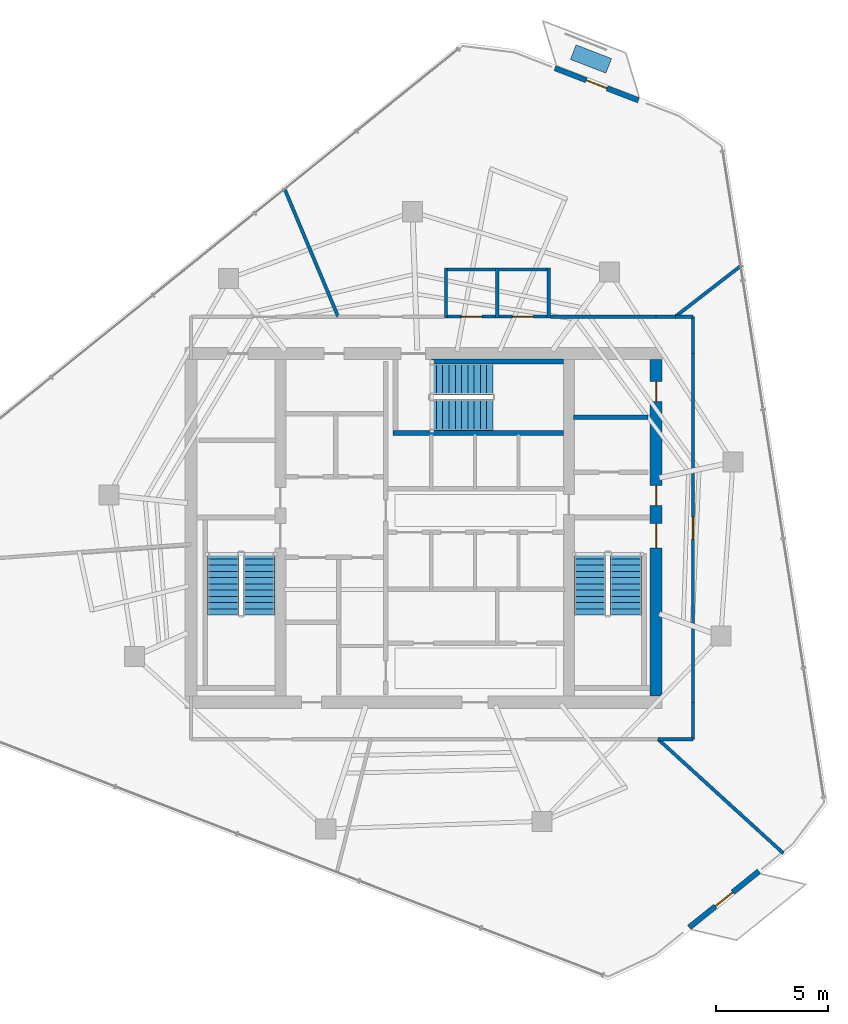
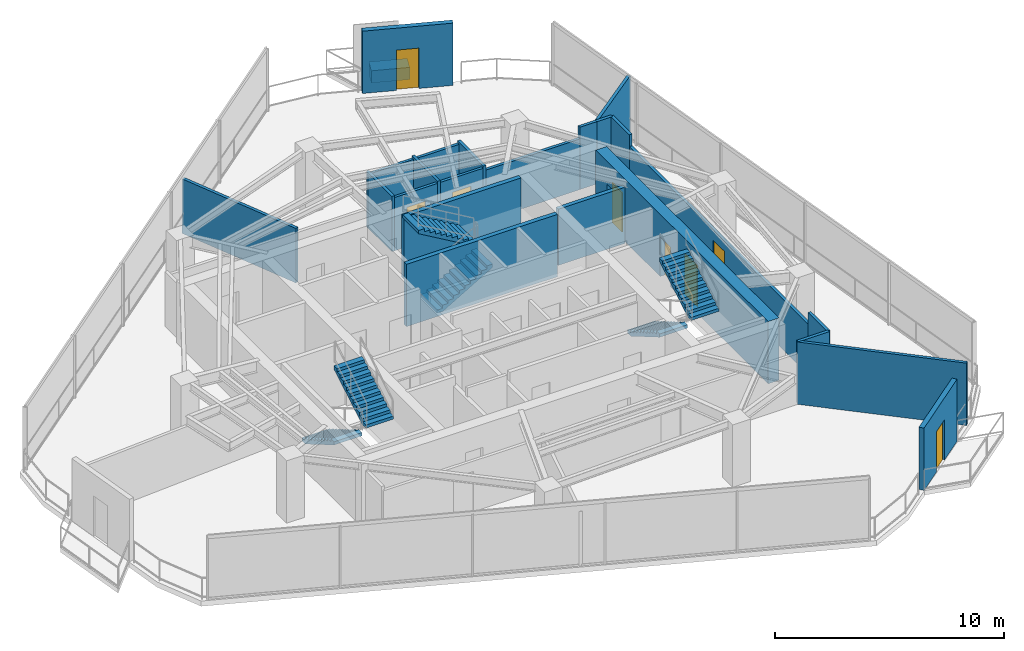
# One storey, part 17 of 19: 23 walls, 8 doors, 6 stair flights, 1 discrete accessory, 8 openings, 3 elements without a shape of their own.
"""IFC4 building model written with IfcOpenShell, lengths in metres."""

from ifc_helpers import new_model, si_unit, direction, frame, frame_2d, origin, origin_2d, place, context, subcontext, project, spatial, polyline, rectangle, outline, extrude, material, layer, layer_set, type_object, element, fill, aggregate, save


model = new_model("IFC4")

# Units and contexts
model_context = context("Model", 3, precision=1e-05, world=origin(), true_north=direction((0.0, 1.0)))
body_context = subcontext(model_context, "Body", "Model", "MODEL_VIEW")
ifc_project = project(units=[si_unit("LENGTHUNIT", "METRE"), si_unit("AREAUNIT", "SQUARE_METRE"), si_unit("VOLUMEUNIT", "CUBIC_METRE"), si_unit("PLANEANGLEUNIT", "RADIAN"), si_unit("MASSUNIT", "GRAM", prefix="KILO")], contexts=[model_context])

# Site, building, storey
site_placement = place(None, origin())
site = spatial("IfcSite", under=ifc_project, at=site_placement, CompositionType="ELEMENT")
building_placement = place(site_placement, origin())
building = spatial("IfcBuilding", under=site, at=building_placement, Name="Qarnah Convention Tower", CompositionType="ELEMENT")
storey_placement = place(building_placement, frame((0.0, 0.0, 213.0)))
storey = spatial("IfcBuildingStorey", under=building, at=storey_placement, Name="L57", CompositionType="ELEMENT", Elevation=213.0)

# Wall, openings, doors
ifc_material_1 = material(Name="Concrete C60/75", Category="concrete")
ifc_layer_1 = layer(ifc_material_1, 0.550048828125)
ifc_layer_set_1 = layer_set([ifc_layer_1], Name="Concrete C60/75")
wall_type_1 = type_object("IfcWallType", Name="WL-CORE-550", PredefinedType="SHEAR", material=ifc_layer_set_1)
wall_1_placement = place(storey_placement, frame((47.60009765625, 18.875, 0.0), z_axis=(0.0, 0.0, 1.0), x_axis=(0.0, 1.0, 0.0)))
wall_1 = element("IfcWall", 1, at=wall_1_placement, inside=storey, type_object=wall_type_1, Name="L57 core east shear wall", PredefinedType="SHEAR", context=body_context, shape_type="SweptSolid", body=[
    extrude(rectangle(XDim=15.050048828125, YDim=0.550048828125, at=frame_2d((7.52490234375, 0.0))), origin(), (0.0, 0.0, 1.0), 3.320068359375),
])
opening_1_placement = place(wall_1_placement, frame((6.625, 0.0, 0.0)))
opening_1 = element("IfcOpeningElement", 2, at=opening_1_placement, cuts=wall_1, Name="Opening D-5702", PredefinedType="OPENING", context=body_context, shape_type="SweptSolid", body=[
    extrude(rectangle(XDim=1.10009765625, YDim=2.14990234375, at=frame_2d((0.550048828125, 1.074951171875))), frame((0.0, 0.284912109375, 0.0), z_axis=(0.0, -1.0, 0.0), x_axis=(1.0, 0.0, 0.0)), (0.0, 0.0, 1.0), 0.570068359375),
])
opening_2_placement = place(wall_1_placement, frame((8.52490234375, 0.0, 0.0)))
opening_2 = element("IfcOpeningElement", 3, at=opening_2_placement, cuts=wall_1, Name="Opening D-5706", PredefinedType="OPENING", context=body_context, shape_type="SweptSolid", body=[
    extrude(rectangle(XDim=0.89990234375, YDim=2.10009765625, at=frame_2d((0.449951171875, 1.050048828125))), frame((0.0, 0.284912109375, 0.0), z_axis=(0.0, -1.0, 0.0), x_axis=(1.0, 0.0, 0.0)), (0.0, 0.0, 1.0), 0.570068359375),
])
opening_3_placement = place(wall_1_placement, frame((13.175048828125, 0.0, 0.0)))
opening_3 = element("IfcOpeningElement", 4, at=opening_3_placement, cuts=wall_1, Name="Opening D-5712", PredefinedType="OPENING", context=body_context, shape_type="SweptSolid", body=[
    extrude(rectangle(XDim=0.89990234375, YDim=2.10009765625, at=frame_2d((0.449951171875, 1.050048828125))), frame((0.0, 0.284912109375, 0.0), z_axis=(0.0, -1.0, 0.0), x_axis=(1.0, 0.0, 0.0)), (0.0, 0.0, 1.0), 0.570068359375),
])
ifc_material_2 = material(Name="Structural steel S355JR", Category="steel")
door_type_1 = type_object("IfcDoorType", Name="DT-RISER-900", OperationType="NOTDEFINED", PredefinedType="DOOR", material=ifc_material_2)
door_1_placement = place(opening_2_placement, origin())
door_1 = element("IfcDoor", 5, at=door_1_placement, inside=storey, type_object=door_type_1, Name="Door D-5706", OperationType="SINGLE_SWING_RIGHT", OverallHeight=2.10009765625, OverallWidth=0.89990234375, PredefinedType="DOOR", context=body_context, shape_type="SweptSolid", body=[
    extrude(rectangle(XDim=0.89990234375, YDim=2.10009765625, at=frame_2d((0.449951171875, 1.050048828125))), frame((0.0, 0.02490234375, 0.0), z_axis=(0.0, -1.0, 0.0), x_axis=(1.0, 0.0, 0.0)), (0.0, 0.0, 1.0), 0.050048828125),
])
fill(opening_2, door_1)
door_2_placement = place(opening_3_placement, origin())
door_2 = element("IfcDoor", 6, at=door_2_placement, inside=storey, type_object=door_type_1, Name="Door D-5712", OperationType="SINGLE_SWING_RIGHT", OverallHeight=2.10009765625, OverallWidth=0.89990234375, PredefinedType="DOOR", context=body_context, shape_type="SweptSolid", body=[
    extrude(rectangle(XDim=0.89990234375, YDim=2.10009765625, at=frame_2d((0.449951171875, 1.050048828125))), frame((0.0, 0.02490234375, 0.0), z_axis=(0.0, -1.0, 0.0), x_axis=(1.0, 0.0, 0.0)), (0.0, 0.0, 1.0), 0.050048828125),
])
fill(opening_3, door_2)
door_type_2 = type_object("IfcDoorType", Name="DT-STAIR-1100", OperationType="NOTDEFINED", PredefinedType="DOOR", material=ifc_material_2)
door_3_placement = place(opening_1_placement, origin())
door_3 = element("IfcDoor", 7, at=door_3_placement, inside=storey, type_object=door_type_2, Name="Door D-5702", OperationType="SINGLE_SWING_RIGHT", OverallHeight=2.14990234375, OverallWidth=1.10009765625, PredefinedType="DOOR", context=body_context, shape_type="SweptSolid", body=[
    extrude(rectangle(XDim=1.10009765625, YDim=2.14990234375, at=frame_2d((0.550048828125, 1.074951171875))), frame((0.0, 0.02490234375, 0.0), z_axis=(0.0, -1.0, 0.0), x_axis=(1.0, 0.0, 0.0)), (0.0, 0.0, 1.0), 0.050048828125),
])
fill(opening_1, door_3)

# Walls
ifc_material_3 = material(Name="Concrete C45/55", Category="concrete")
ifc_layer_2 = layer(ifc_material_3, 0.199951171875)
ifc_layer_set_2 = layer_set([ifc_layer_2], Name="Concrete C45/55")
wall_type_2 = type_object("IfcWallType", Name="WL-CORE-PART-200", PredefinedType="SOLIDWALL", material=ifc_layer_set_2)
wall_2_placement = place(storey_placement, frame((43.89990234375, 31.35009765625, 0.0), z_axis=(0.0, 0.0, 1.0), x_axis=(1.0, 0.0, 0.0)))
element("IfcWall", 8, at=wall_2_placement, inside=storey, type_object=wall_type_2, Name="L57 interior wall IW-L57-WTRN", PredefinedType="SOLIDWALL", context=body_context, shape_type="SweptSolid", body=[
    extrude(rectangle(XDim=3.35009765625, YDim=0.199951171875, at=frame_2d((1.675048828125, 0.0))), origin(), (0.0, 0.0, 1.0), 2.992919921875),
])
ifc_layer_3 = layer(ifc_material_1, 0.219970703125)
ifc_layer_set_3 = layer_set([ifc_layer_3], Name="Concrete C60/75")
wall_type_3 = type_object("IfcWallType", Name="WL-CORE-STAIR-220", PredefinedType="SHEAR", material=ifc_layer_set_3)
wall_3_placement = place(storey_placement, frame((35.840087890625, 30.639892578125, 0.0), z_axis=(0.0, 0.0, 1.0), x_axis=(1.0, 0.0, 0.0)))
element("IfcWall", 9, at=wall_3_placement, inside=storey, type_object=wall_type_3, Name="L57 stair shaft shear wall SW-L57-ST3S", PredefinedType="SHEAR", context=body_context, shape_type="SweptSolid", body=[
    extrude(rectangle(XDim=7.60986328125, YDim=0.219970703125, at=frame_2d((3.804931640625, 0.0))), origin(), (0.0, 0.0, 1.0), 3.320068359375),
])
wall_4_placement = place(storey_placement, frame((37.550048828125, 33.840087890625, 0.0), z_axis=(0.0, 0.0, 1.0), x_axis=(1.0, 0.0, 0.0)))
element("IfcWall", 10, at=wall_4_placement, inside=storey, type_object=wall_type_3, Name="L57 stair shaft shear wall SW-L57-ST3N", PredefinedType="SHEAR", context=body_context, shape_type="SweptSolid", body=[
    extrude(rectangle(XDim=5.89990234375, YDim=0.219970703125, at=frame_2d((2.949951171875, 0.0))), origin(), (0.0, 0.0, 1.0), 3.320068359375),
])

# Wall, opening, door
ifc_material_4 = material(Name="Precast concrete C45/55", Category="concrete")
ifc_layer_4 = layer(ifc_material_4, 0.239990234375)
ifc_layer_set_4 = layer_set([ifc_layer_4], Name="Precast concrete C45/55")
wall_type_4 = type_object("IfcWallType", Name="WL-EXT-BAL-240", PredefinedType="SOLIDWALL", material=ifc_layer_set_4)
wall_5_placement = place(storey_placement, frame((43.080078125, 46.9619140625, 0.0), z_axis=(0.0, 0.0, 1.0), x_axis=(0.932847562988, -0.360271320295, 0.0)))
wall_5 = element("IfcWall", 11, at=wall_5_placement, inside=storey, type_object=wall_type_4, Name="L57 loggia threshold wall BAL-L57-C1", PredefinedType="SOLIDWALL", context=body_context, shape_type="SweptSolid", body=[
    extrude(rectangle(XDim=3.99951171875, YDim=0.239990234375, at=frame_2d((1.999755859375, 0.0))), origin(), (0.0, 0.0, 1.0), 3.320068359375),
])
opening_4_placement = place(wall_5_placement, frame((1.5, 0.0, 0.0)))
opening_4 = element("IfcOpeningElement", 12, at=opening_4_placement, cuts=wall_5, Name="Opening BD-5701", PredefinedType="OPENING", context=body_context, shape_type="SweptSolid", body=[
    extrude(rectangle(XDim=1.0, YDim=2.14990234375, at=frame_2d((0.5, 1.074951171875))), frame((0.0, 0.1298828125, 0.0), z_axis=(0.0, -1.0, 0.0), x_axis=(1.0, 0.0, 0.0)), (0.0, 0.0, 1.0), 0.260009765625),
])
ifc_material_5 = material(Name="Black anodised aluminium", Category="aluminium")
door_type_3 = type_object("IfcDoorType", Name="DT-BAL-1000", OperationType="NOTDEFINED", PredefinedType="DOOR", material=ifc_material_5)
door_4_placement = place(opening_4_placement, origin())
door_4 = element("IfcDoor", 13, at=door_4_placement, inside=storey, type_object=door_type_3, Name="L57 balcony terrace door BAL-L57-C1", OperationType="SINGLE_SWING_RIGHT", OverallHeight=2.14990234375, OverallWidth=1.0, PredefinedType="DOOR", context=body_context, shape_type="SweptSolid", body=[
    extrude(rectangle(XDim=1.0, YDim=2.14990234375, at=frame_2d((0.5, 1.074951171875))), frame((0.0, 0.02490234375, 0.0), z_axis=(0.0, -1.0, 0.0), x_axis=(1.0, 0.0, 0.0)), (0.0, 0.0, 1.0), 0.050048828125),
])
fill(opening_4, door_4)

wall_6_placement = place(storey_placement, frame((52.197021484375, 11.048095703125, 0.0), z_axis=(0.0, 0.0, 1.0), x_axis=(-0.778355303503, -0.627824037058, 0.0)))
wall_6 = element("IfcWall", 14, at=wall_6_placement, inside=storey, type_object=wall_type_4, Name="L57 loggia threshold wall BAL-L57-C3", PredefinedType="SOLIDWALL", context=body_context, shape_type="SweptSolid", body=[
    extrude(rectangle(XDim=3.99951171875, YDim=0.239990234375, at=frame_2d((1.999755859375, 0.0))), origin(), (0.0, 0.0, 1.0), 3.320068359375),
])
opening_5_placement = place(wall_6_placement, frame((1.5, 0.0, 0.0)))
opening_5 = element("IfcOpeningElement", 15, at=opening_5_placement, cuts=wall_6, Name="Opening BD-5703", PredefinedType="OPENING", context=body_context, shape_type="SweptSolid", body=[
    extrude(rectangle(XDim=1.0, YDim=2.14990234375, at=frame_2d((0.5, 1.074951171875))), frame((0.0, 0.1298828125, 0.0), z_axis=(0.0, -1.0, 0.0), x_axis=(1.0, 0.0, 0.0)), (0.0, 0.0, 1.0), 0.260009765625),
])
door_5_placement = place(opening_5_placement, origin())
door_5 = element("IfcDoor", 16, at=door_5_placement, inside=storey, type_object=door_type_3, Name="L57 balcony terrace door BAL-L57-C3", OperationType="SINGLE_SWING_RIGHT", OverallHeight=2.14990234375, OverallWidth=1.0, PredefinedType="DOOR", context=body_context, shape_type="SweptSolid", body=[
    extrude(rectangle(XDim=1.0, YDim=2.14990234375, at=frame_2d((0.5, 1.074951171875))), frame((0.0, 0.02490234375, 0.0), z_axis=(0.0, -1.0, 0.0), x_axis=(1.0, 0.0, 0.0)), (0.0, 0.0, 1.0), 0.050048828125),
])
fill(opening_5, door_5)

# Walls
ifc_material_6 = material(Name="Gypsum partition board")
ifc_layer_5 = layer(ifc_material_6, 0.14990234375)
ifc_layer_set_5 = layer_set([ifc_layer_5], Name="Gypsum partition board")
wall_type_5 = type_object("IfcWallType", Name="WL-SUITE-150", PredefinedType="PARTITIONING", material=ifc_layer_set_5)
wall_7_placement = place(storey_placement, frame((30.972900390625, 41.596923828125, 0.0), z_axis=(0.0, 0.0, 1.0), x_axis=(0.386620265765, -0.922238998362, 0.0)))
element("IfcWall", 17, at=wall_7_placement, inside=storey, type_object=wall_type_5, Name="L57 interior wall IW-L57-R-08", PredefinedType="PARTITIONING", context=body_context, shape_type="SweptSolid", body=[
    extrude(rectangle(XDim=6.2314453125, YDim=0.14990234375, at=frame_2d((3.11572265625, 0.0))), origin(), (0.0, 0.0, 1.0), 2.905029296875),
])
wall_8_placement = place(storey_placement, frame((42.8701171875, 35.85009765625, 0.0), z_axis=(0.0, 0.0, 1.0), x_axis=(1.0, 0.0, 0.0)))
element("IfcWall", 18, at=wall_8_placement, inside=storey, type_object=wall_type_5, Name="L57 interior wall IW-L57-R-10", PredefinedType="PARTITIONING", context=body_context, shape_type="SweptSolid", body=[
    extrude(rectangle(XDim=4.72998046875, YDim=0.14990234375, at=frame_2d((2.364990234375, 0.0))), origin(), (0.0, 0.0, 1.0), 2.697021484375),
])
wall_9_placement = place(storey_placement, frame((47.60009765625, 35.85009765625, 0.0), z_axis=(0.0, 0.0, 1.0), x_axis=(1.0, 0.0, 0.0)))
element("IfcWall", 19, at=wall_9_placement, inside=storey, type_object=wall_type_5, Name="L57 interior wall IW-L57-R-11", PredefinedType="PARTITIONING", context=body_context, shape_type="SweptSolid", body=[
    extrude(rectangle(XDim=0.86181640625, YDim=0.14990234375, at=frame_2d((0.430908203125, 0.0))), origin(), (0.0, 0.0, 1.0), 3.320068359375),
])
wall_10_placement = place(storey_placement, frame((48.4619140625, 35.85009765625, 0.0), z_axis=(0.0, 0.0, 1.0), x_axis=(0.790221725719, 0.612821037663, 0.0)))
element("IfcWall", 20, at=wall_10_placement, inside=storey, type_object=wall_type_5, Name="L57 interior wall IW-L57-R-12", PredefinedType="PARTITIONING", context=body_context, shape_type="SweptSolid", body=[
    extrude(rectangle(XDim=3.76123046875, YDim=0.14990234375, at=frame_2d((1.880615234375, 0.0))), origin(), (0.0, 0.0, 1.0), 3.320068359375),
])
wall_11_placement = place(storey_placement, frame((53.291015625, 11.85205078125, 0.0), z_axis=(0.0, 0.0, 1.0), x_axis=(-0.739237725075, 0.673444567745, 0.0)))
element("IfcWall", 21, at=wall_11_placement, inside=storey, type_object=wall_type_5, Name="L57 interior wall IW-L57-R-19", PredefinedType="PARTITIONING", context=body_context, shape_type="SweptSolid", body=[
    extrude(rectangle(XDim=7.56982421875, YDim=0.14990234375, at=frame_2d((3.784912109375, 0.0))), origin(), (0.0, 0.0, 1.0), 3.320068359375),
])
wall_12_placement = place(storey_placement, frame((48.4619140625, 35.85009765625, 0.0), z_axis=(0.0, 0.0, 1.0), x_axis=(1.0, 0.0, 0.0)))
element("IfcWall", 22, at=wall_12_placement, inside=storey, type_object=wall_type_5, Name="L57 interior wall IW-L57-R-21", PredefinedType="PARTITIONING", context=body_context, shape_type="SweptSolid", body=[
    extrude(rectangle(XDim=0.7880859375, YDim=0.14990234375, at=frame_2d((0.39404296875, 0.0))), origin(), (0.0, 0.0, 1.0), 3.320068359375),
])
wall_13_placement = place(storey_placement, frame((49.25, 35.85009765625, 0.0), z_axis=(0.0, 0.0, 1.0), x_axis=(0.0, -1.0, 0.0)))
element("IfcWall", 23, at=wall_13_placement, inside=storey, type_object=wall_type_5, Name="L57 interior wall IW-L57-R-22", PredefinedType="PARTITIONING", context=body_context, shape_type="SweptSolid", body=[
    extrude(rectangle(XDim=1.650146484375, YDim=0.14990234375, at=frame_2d((0.8251953125, 0.0))), origin(), (0.0, 0.0, 1.0), 3.320068359375),
])

# Wall, opening, door
wall_14_placement = place(storey_placement, frame((49.25, 34.199951171875, 0.0), z_axis=(0.0, 0.0, 1.0), x_axis=(0.0, -1.0, 0.0)))
wall_14 = element("IfcWall", 24, at=wall_14_placement, inside=storey, type_object=wall_type_5, Name="L57 interior wall IW-L57-R-23", PredefinedType="PARTITIONING", context=body_context, shape_type="SweptSolid", body=[
    extrude(rectangle(XDim=15.599853515625, YDim=0.14990234375, at=frame_2d((7.7998046875, 0.0))), origin(), (0.0, 0.0, 1.0), 2.697021484375),
])
opening_6_placement = place(wall_14_placement, frame((7.300048828125, 0.0, 0.0)))
opening_6 = element("IfcOpeningElement", 25, at=opening_6_placement, cuts=wall_14, Name="Opening D-5724", PredefinedType="OPENING", context=body_context, shape_type="SweptSolid", body=[
    extrude(rectangle(XDim=1.0, YDim=2.14990234375, at=frame_2d((0.5, 1.074951171875))), frame((0.0, 0.0849609375, 0.0), z_axis=(0.0, -1.0, 0.0), x_axis=(1.0, 0.0, 0.0)), (0.0, 0.0, 1.0), 0.169921875),
])
ifc_material_7 = material(Name="Oak timber veneer", Category="wood")
door_type_4 = type_object("IfcDoorType", Name="DT-OFFICE-1000", OperationType="NOTDEFINED", PredefinedType="DOOR", material=ifc_material_7)
door_6_placement = place(opening_6_placement, origin())
door_6 = element("IfcDoor", 26, at=door_6_placement, inside=storey, type_object=door_type_4, Name="Door D-5724", OperationType="SINGLE_SWING_RIGHT", OverallHeight=2.14990234375, OverallWidth=1.0, PredefinedType="DOOR", context=body_context, shape_type="SweptSolid", body=[
    extrude(rectangle(XDim=1.0, YDim=2.14990234375, at=frame_2d((0.5, 1.074951171875))), frame((0.0, 0.02490234375, 0.0), z_axis=(0.0, -1.0, 0.0), x_axis=(1.0, 0.0, 0.0)), (0.0, 0.0, 1.0), 0.050048828125),
])
fill(opening_6, door_6)

# Walls
wall_15_placement = place(storey_placement, frame((49.25, 18.60009765625, 0.0), z_axis=(0.0, 0.0, 1.0), x_axis=(0.0, -1.0, 0.0)))
element("IfcWall", 27, at=wall_15_placement, inside=storey, type_object=wall_type_5, Name="L57 interior wall IW-L57-R-24", PredefinedType="PARTITIONING", context=body_context, shape_type="SweptSolid", body=[
    extrude(rectangle(XDim=1.650146484375, YDim=0.14990234375, at=frame_2d((0.8251953125, 0.0))), origin(), (0.0, 0.0, 1.0), 3.320068359375),
])
wall_16_placement = place(storey_placement, frame((49.25, 16.949951171875, 0.0), z_axis=(0.0, 0.0, 1.0), x_axis=(-1.0, 0.0, 0.0)))
element("IfcWall", 28, at=wall_16_placement, inside=storey, type_object=wall_type_5, Name="L57 interior wall IW-L57-R-25", PredefinedType="PARTITIONING", context=body_context, shape_type="SweptSolid", body=[
    extrude(rectangle(XDim=1.554931640625, YDim=0.14990234375, at=frame_2d((0.77734375, 0.0))), origin(), (0.0, 0.0, 1.0), 3.320068359375),
])

# Wall, opening, door
ifc_layer_6 = layer(ifc_material_6, 0.139892578125)
ifc_layer_set_6 = layer_set([ifc_layer_6], Name="Gypsum partition board")
wall_type_6 = type_object("IfcWallType", Name="WL-WET-140", PredefinedType="PARTITIONING", material=ifc_layer_set_6)
wall_17_placement = place(storey_placement, frame((38.1298828125, 35.85009765625, 0.0), z_axis=(0.0, 0.0, 1.0), x_axis=(1.0, 0.0, 0.0)))
wall_17 = element("IfcWall", 29, at=wall_17_placement, inside=storey, type_object=wall_type_6, Name="L57 interior wall IW-L57-WCM-1", PredefinedType="PARTITIONING", context=body_context, shape_type="SweptSolid", body=[
    extrude(rectangle(XDim=2.440185546875, YDim=0.139892578125, at=frame_2d((1.22021484375, 0.0))), origin(), (0.0, 0.0, 1.0), 2.841064453125),
])
opening_7_placement = place(wall_17_placement, frame((0.760009765625, 0.0, 0.0)))
opening_7 = element("IfcOpeningElement", 30, at=opening_7_placement, cuts=wall_17, Name="Opening D-5718", PredefinedType="OPENING", context=body_context, shape_type="SweptSolid", body=[
    extrude(rectangle(XDim=0.919921875, YDim=2.10009765625, at=frame_2d((0.4599609375, 1.050048828125))), frame((0.0, 0.079833984375, 0.0), z_axis=(0.0, -1.0, 0.0), x_axis=(1.0, 0.0, 0.0)), (0.0, 0.0, 1.0), 0.159912109375),
])
door_type_5 = type_object("IfcDoorType", Name="DT-WC-920", OperationType="NOTDEFINED", PredefinedType="DOOR", material=ifc_material_7)
door_7_placement = place(opening_7_placement, origin())
door_7 = element("IfcDoor", 31, at=door_7_placement, inside=storey, type_object=door_type_5, Name="Door D-5718", OperationType="SINGLE_SWING_RIGHT", OverallHeight=2.10009765625, OverallWidth=0.919921875, PredefinedType="DOOR", context=body_context, shape_type="SweptSolid", body=[
    extrude(rectangle(XDim=0.919921875, YDim=2.10009765625, at=frame_2d((0.4599609375, 1.050048828125))), frame((0.0, 0.02490234375, 0.0), z_axis=(0.0, -1.0, 0.0), x_axis=(1.0, 0.0, 0.0)), (0.0, 0.0, 1.0), 0.050048828125),
])
fill(opening_7, door_7)

# Walls
wall_18_placement = place(storey_placement, frame((40.5, 35.780029296875, 0.0), z_axis=(0.0, 0.0, 1.0), x_axis=(0.0, 1.0, 0.0)))
element("IfcWall", 32, at=wall_18_placement, inside=storey, type_object=wall_type_6, Name="L57 interior wall IW-L57-WCM-2", PredefinedType="PARTITIONING", context=body_context, shape_type="SweptSolid", body=[
    extrude(rectangle(XDim=2.239990234375, YDim=0.139892578125, at=frame_2d((1.1201171875, 0.0))), origin(), (0.0, 0.0, 1.0), 2.948974609375),
])
wall_19_placement = place(storey_placement, frame((40.570068359375, 37.949951171875, 0.0), z_axis=(0.0, 0.0, 1.0), x_axis=(-1.0, 0.0, 0.0)))
element("IfcWall", 33, at=wall_19_placement, inside=storey, type_object=wall_type_6, Name="L57 interior wall IW-L57-WCM-3", PredefinedType="PARTITIONING", context=body_context, shape_type="SweptSolid", body=[
    extrude(rectangle(XDim=2.440185546875, YDim=0.139892578125, at=frame_2d((1.22021484375, 0.0))), origin(), (0.0, 0.0, 1.0), 2.841064453125),
])
wall_20_placement = place(storey_placement, frame((38.199951171875, 38.02001953125, 0.0), z_axis=(0.0, 0.0, 1.0), x_axis=(0.0, -1.0, 0.0)))
element("IfcWall", 34, at=wall_20_placement, inside=storey, type_object=wall_type_6, Name="L57 interior wall IW-L57-WCM-4", PredefinedType="PARTITIONING", context=body_context, shape_type="SweptSolid", body=[
    extrude(rectangle(XDim=2.239990234375, YDim=0.139892578125, at=frame_2d((1.1201171875, 0.0))), origin(), (0.0, 0.0, 1.0), 2.948974609375),
])

# Wall, opening, door
wall_21_placement = place(storey_placement, frame((40.429931640625, 35.85009765625, 0.0), z_axis=(0.0, 0.0, 1.0), x_axis=(1.0, 0.0, 0.0)))
wall_21 = element("IfcWall", 35, at=wall_21_placement, inside=storey, type_object=wall_type_6, Name="L57 interior wall IW-L57-WCF-1", PredefinedType="PARTITIONING", context=body_context, shape_type="SweptSolid", body=[
    extrude(rectangle(XDim=2.440185546875, YDim=0.139892578125, at=frame_2d((1.22021484375, 0.0))), origin(), (0.0, 0.0, 1.0), 2.841064453125),
])
opening_8_placement = place(wall_21_placement, frame((0.760009765625, 0.0, 0.0)))
opening_8 = element("IfcOpeningElement", 36, at=opening_8_placement, cuts=wall_21, Name="Opening D-5719", PredefinedType="OPENING", context=body_context, shape_type="SweptSolid", body=[
    extrude(rectangle(XDim=0.919921875, YDim=2.10009765625, at=frame_2d((0.4599609375, 1.050048828125))), frame((0.0, 0.079833984375, 0.0), z_axis=(0.0, -1.0, 0.0), x_axis=(1.0, 0.0, 0.0)), (0.0, 0.0, 1.0), 0.159912109375),
])
door_8_placement = place(opening_8_placement, origin())
door_8 = element("IfcDoor", 37, at=door_8_placement, inside=storey, type_object=door_type_5, Name="Door D-5719", OperationType="SINGLE_SWING_LEFT", OverallHeight=2.10009765625, OverallWidth=0.919921875, PredefinedType="DOOR", context=body_context, shape_type="SweptSolid", body=[
    extrude(rectangle(XDim=0.919921875, YDim=2.10009765625, at=frame_2d((0.4599609375, 1.050048828125))), frame((0.0, 0.02490234375, 0.0), z_axis=(0.0, -1.0, 0.0), x_axis=(1.0, 0.0, 0.0)), (0.0, 0.0, 1.0), 0.050048828125),
])
fill(opening_8, door_8)

# Walls
wall_22_placement = place(storey_placement, frame((42.800048828125, 35.780029296875, 0.0), z_axis=(0.0, 0.0, 1.0), x_axis=(0.0, 1.0, 0.0)))
element("IfcWall", 38, at=wall_22_placement, inside=storey, type_object=wall_type_6, Name="L57 interior wall IW-L57-WCF-2", PredefinedType="PARTITIONING", context=body_context, shape_type="SweptSolid", body=[
    extrude(rectangle(XDim=2.239990234375, YDim=0.139892578125, at=frame_2d((1.1201171875, 0.0))), origin(), (0.0, 0.0, 1.0), 2.948974609375),
])
wall_23_placement = place(storey_placement, frame((42.8701171875, 37.949951171875, 0.0), z_axis=(0.0, 0.0, 1.0), x_axis=(-1.0, 0.0, 0.0)))
element("IfcWall", 39, at=wall_23_placement, inside=storey, type_object=wall_type_6, Name="L57 interior wall IW-L57-WCF-3", PredefinedType="PARTITIONING", context=body_context, shape_type="SweptSolid", body=[
    extrude(rectangle(XDim=2.440185546875, YDim=0.139892578125, at=frame_2d((1.22021484375, 0.0))), origin(), (0.0, 0.0, 1.0), 2.841064453125),
])

# Stair, stair flights
ifc_material_8 = material(Name="Concrete C50/60", Category="concrete")
stair_type = type_object("IfcStairType", Name="STR-OFF", PredefinedType="HALF_TURN_STAIR", material=ifc_material_8)
stair_1_placement = place(storey_placement, origin())
stair_1 = element("IfcStair", 40, at=stair_1_placement, inside=storey, type_object=stair_type, Name="L57 Core exit stair ST-1", PredefinedType="HALF_TURN_STAIR")
stair_flight_type = type_object("IfcStairFlightType", Name="FLT-OFF", PredefinedType="STRAIGHT", material=ifc_material_8)
stair_flight_1_placement = place(storey_placement, frame((28.25, 25.300048828125, 0.0), z_axis=(0.0, 0.0, 1.0), x_axis=(0.0, -1.0, 0.0)))
stair_flight_1 = element("IfcStairFlight", 41, at=stair_flight_1_placement, type_object=stair_flight_type, Name="ST-1 flight 1", NumberOfRisers=11, NumberOfTreads=10, PredefinedType="STRAIGHT", RiserHeight=0.163636364, TreadLength=0.28, context=body_context, shape_type="SweptSolid", body=[
    extrude(outline(polyline([(0.0, 0.0), (0.0, 0.16357421875), (0.280029296875, 0.16357421875), (0.280029296875, 0.327392578125), (0.56005859375, 0.327392578125), (0.56005859375, 0.490966796875), (0.840087890625, 0.490966796875), (0.840087890625, 0.654541015625), (1.1201171875, 0.654541015625), (1.1201171875, 0.818115234375), (1.39990234375, 0.818115234375), (1.39990234375, 0.98193359375), (1.679931640625, 0.98193359375), (1.679931640625, 1.1455078125), (1.9599609375, 1.1455078125), (1.9599609375, 1.30908203125), (2.239990234375, 1.30908203125), (2.239990234375, 1.47265625), (2.52001953125, 1.47265625), (2.52001953125, 1.636474609375), (2.800048828125, 1.636474609375), (2.800048828125, 1.800048828125), (2.800048828125, 1.462646484375), (0.297119140625, 0.0), (0.0, 0.0)])), frame((0.0, 0.699951171875, 0.0), z_axis=(0.0, -1.0, 0.0), x_axis=(1.0, 0.0, 0.0)), (0.0, 0.0, 1.0), 1.39990234375),
])
stair_flight_2_placement = place(storey_placement, frame((29.85009765625, 22.5, 1.800048828125), z_axis=(0.0, 0.0, 1.0), x_axis=(0.0, 1.0, 0.0)))
stair_flight_2 = element("IfcStairFlight", 42, at=stair_flight_2_placement, type_object=stair_flight_type, Name="ST-1 flight 2", NumberOfRisers=11, NumberOfTreads=10, PredefinedType="STRAIGHT", RiserHeight=0.163636364, TreadLength=0.28, context=body_context, shape_type="SweptSolid", body=[
    extrude(outline(polyline([(0.0, 0.0), (0.0, 0.16357421875), (0.280029296875, 0.16357421875), (0.280029296875, 0.327392578125), (0.56005859375, 0.327392578125), (0.56005859375, 0.490966796875), (0.840087890625, 0.490966796875), (0.840087890625, 0.654541015625), (1.1201171875, 0.654541015625), (1.1201171875, 0.818115234375), (1.39990234375, 0.818115234375), (1.39990234375, 0.98193359375), (1.679931640625, 0.98193359375), (1.679931640625, 1.1455078125), (1.9599609375, 1.1455078125), (1.9599609375, 1.30908203125), (2.239990234375, 1.30908203125), (2.239990234375, 1.47265625), (2.52001953125, 1.47265625), (2.52001953125, 1.636474609375), (2.800048828125, 1.636474609375), (2.800048828125, 1.800048828125), (2.800048828125, 1.462646484375), (0.297119140625, 0.0), (0.0, 0.0)])), frame((0.0, 0.699951171875, 0.0), z_axis=(0.0, -1.0, 0.0), x_axis=(1.0, 0.0, 0.0)), (0.0, 0.0, 1.0), 1.39990234375),
])
aggregate(stair_1, [stair_flight_1, stair_flight_2])

stair_2_placement = place(storey_placement, origin())
stair_2 = element("IfcStair", 43, at=stair_2_placement, inside=storey, type_object=stair_type, Name="L57 Core exit stair ST-2", PredefinedType="HALF_TURN_STAIR")
stair_flight_3_placement = place(storey_placement, frame((44.64990234375, 25.300048828125, 0.0), z_axis=(0.0, 0.0, 1.0), x_axis=(0.0, -1.0, 0.0)))
stair_flight_3 = element("IfcStairFlight", 44, at=stair_flight_3_placement, type_object=stair_flight_type, Name="ST-2 flight 1", NumberOfRisers=11, NumberOfTreads=10, PredefinedType="STRAIGHT", RiserHeight=0.163636364, TreadLength=0.28, context=body_context, shape_type="SweptSolid", body=[
    extrude(outline(polyline([(0.0, 0.0), (0.0, 0.16357421875), (0.280029296875, 0.16357421875), (0.280029296875, 0.327392578125), (0.56005859375, 0.327392578125), (0.56005859375, 0.490966796875), (0.840087890625, 0.490966796875), (0.840087890625, 0.654541015625), (1.1201171875, 0.654541015625), (1.1201171875, 0.818115234375), (1.39990234375, 0.818115234375), (1.39990234375, 0.98193359375), (1.679931640625, 0.98193359375), (1.679931640625, 1.1455078125), (1.9599609375, 1.1455078125), (1.9599609375, 1.30908203125), (2.239990234375, 1.30908203125), (2.239990234375, 1.47265625), (2.52001953125, 1.47265625), (2.52001953125, 1.636474609375), (2.800048828125, 1.636474609375), (2.800048828125, 1.800048828125), (2.800048828125, 1.462646484375), (0.297119140625, 0.0), (0.0, 0.0)])), frame((0.0, 0.699951171875, 0.0), z_axis=(0.0, -1.0, 0.0), x_axis=(1.0, 0.0, 0.0)), (0.0, 0.0, 1.0), 1.39990234375),
])
stair_flight_4_placement = place(storey_placement, frame((46.25, 22.5, 1.800048828125), z_axis=(0.0, 0.0, 1.0), x_axis=(0.0, 1.0, 0.0)))
stair_flight_4 = element("IfcStairFlight", 45, at=stair_flight_4_placement, type_object=stair_flight_type, Name="ST-2 flight 2", NumberOfRisers=11, NumberOfTreads=10, PredefinedType="STRAIGHT", RiserHeight=0.163636364, TreadLength=0.28, context=body_context, shape_type="SweptSolid", body=[
    extrude(outline(polyline([(0.0, 0.0), (0.0, 0.16357421875), (0.280029296875, 0.16357421875), (0.280029296875, 0.327392578125), (0.56005859375, 0.327392578125), (0.56005859375, 0.490966796875), (0.840087890625, 0.490966796875), (0.840087890625, 0.654541015625), (1.1201171875, 0.654541015625), (1.1201171875, 0.818115234375), (1.39990234375, 0.818115234375), (1.39990234375, 0.98193359375), (1.679931640625, 0.98193359375), (1.679931640625, 1.1455078125), (1.9599609375, 1.1455078125), (1.9599609375, 1.30908203125), (2.239990234375, 1.30908203125), (2.239990234375, 1.47265625), (2.52001953125, 1.47265625), (2.52001953125, 1.636474609375), (2.800048828125, 1.636474609375), (2.800048828125, 1.800048828125), (2.800048828125, 1.462646484375), (0.297119140625, 0.0), (0.0, 0.0)])), frame((0.0, 0.699951171875, 0.0), z_axis=(0.0, -1.0, 0.0), x_axis=(1.0, 0.0, 0.0)), (0.0, 0.0, 1.0), 1.39990234375),
])
aggregate(stair_2, [stair_flight_3, stair_flight_4])

stair_3_placement = place(storey_placement, origin())
stair_3 = element("IfcStair", 46, at=stair_3_placement, inside=storey, type_object=stair_type, Name="L57 Core exit stair ST-3", PredefinedType="HALF_TURN_STAIR")
stair_flight_5_placement = place(storey_placement, frame((37.5, 31.449951171875, 0.0), z_axis=(0.0, 0.0, 1.0), x_axis=(1.0, 0.0, 0.0)))
stair_flight_5 = element("IfcStairFlight", 47, at=stair_flight_5_placement, type_object=stair_flight_type, Name="ST-3 flight 1", NumberOfRisers=11, NumberOfTreads=10, PredefinedType="STRAIGHT", RiserHeight=0.163636364, TreadLength=0.28, context=body_context, shape_type="SweptSolid", body=[
    extrude(outline(polyline([(0.0, 0.0), (0.0, 0.16357421875), (0.280029296875, 0.16357421875), (0.280029296875, 0.327392578125), (0.56005859375, 0.327392578125), (0.56005859375, 0.490966796875), (0.840087890625, 0.490966796875), (0.840087890625, 0.654541015625), (1.1201171875, 0.654541015625), (1.1201171875, 0.818115234375), (1.39990234375, 0.818115234375), (1.39990234375, 0.98193359375), (1.679931640625, 0.98193359375), (1.679931640625, 1.1455078125), (1.9599609375, 1.1455078125), (1.9599609375, 1.30908203125), (2.239990234375, 1.30908203125), (2.239990234375, 1.47265625), (2.52001953125, 1.47265625), (2.52001953125, 1.636474609375), (2.800048828125, 1.636474609375), (2.800048828125, 1.800048828125), (2.800048828125, 1.462646484375), (0.297119140625, 0.0), (0.0, 0.0)])), frame((0.0, 0.699951171875, 0.0), z_axis=(0.0, -1.0, 0.0), x_axis=(1.0, 0.0, 0.0)), (0.0, 0.0, 1.0), 1.39990234375),
])
stair_flight_6_placement = place(storey_placement, frame((40.300048828125, 33.050048828125, 1.800048828125), z_axis=(0.0, 0.0, 1.0), x_axis=(-1.0, 0.0, 0.0)))
stair_flight_6 = element("IfcStairFlight", 48, at=stair_flight_6_placement, type_object=stair_flight_type, Name="ST-3 flight 2", NumberOfRisers=11, NumberOfTreads=10, PredefinedType="STRAIGHT", RiserHeight=0.163636364, TreadLength=0.28, context=body_context, shape_type="SweptSolid", body=[
    extrude(outline(polyline([(0.0, 0.0), (0.0, 0.16357421875), (0.280029296875, 0.16357421875), (0.280029296875, 0.327392578125), (0.56005859375, 0.327392578125), (0.56005859375, 0.490966796875), (0.840087890625, 0.490966796875), (0.840087890625, 0.654541015625), (1.1201171875, 0.654541015625), (1.1201171875, 0.818115234375), (1.39990234375, 0.818115234375), (1.39990234375, 0.98193359375), (1.679931640625, 0.98193359375), (1.679931640625, 1.1455078125), (1.9599609375, 1.1455078125), (1.9599609375, 1.30908203125), (2.239990234375, 1.30908203125), (2.239990234375, 1.47265625), (2.52001953125, 1.47265625), (2.52001953125, 1.636474609375), (2.800048828125, 1.636474609375), (2.800048828125, 1.800048828125), (2.800048828125, 1.462646484375), (0.297119140625, 0.0), (0.0, 0.0)])), frame((0.0, 0.699951171875, 0.0), z_axis=(0.0, -1.0, 0.0), x_axis=(1.0, 0.0, 0.0)), (0.0, 0.0, 1.0), 1.39990234375),
])
aggregate(stair_3, [stair_flight_5, stair_flight_6])

# Discrete accessory
discrete_accessory_type = type_object("IfcDiscreteAccessoryType", Name="ACC-PLANTER-900", PredefinedType="USERDEFINED", material=ifc_material_4)
discrete_accessory_placement = place(storey_placement, frame((44.68994140625, 47.3701171875, 0.0), z_axis=(0.0, 0.0, 1.0), x_axis=(-0.932827815397, 0.3603224484, 0.0)))
element("IfcDiscreteAccessory", 49, at=discrete_accessory_placement, inside=storey, type_object=discrete_accessory_type, Name="L57 irrigated desert balcony PLANTER BAL-L57-C1", ObjectType="PLANTER", PredefinedType="USERDEFINED", context=body_context, shape_type="SweptSolid", body=[
    extrude(rectangle(XDim=1.699951171875, YDim=0.699951171875, at=origin_2d()), origin(), (0.0, 0.0, 1.0), 0.64990234375),
])

save(model, "model.ifc")
